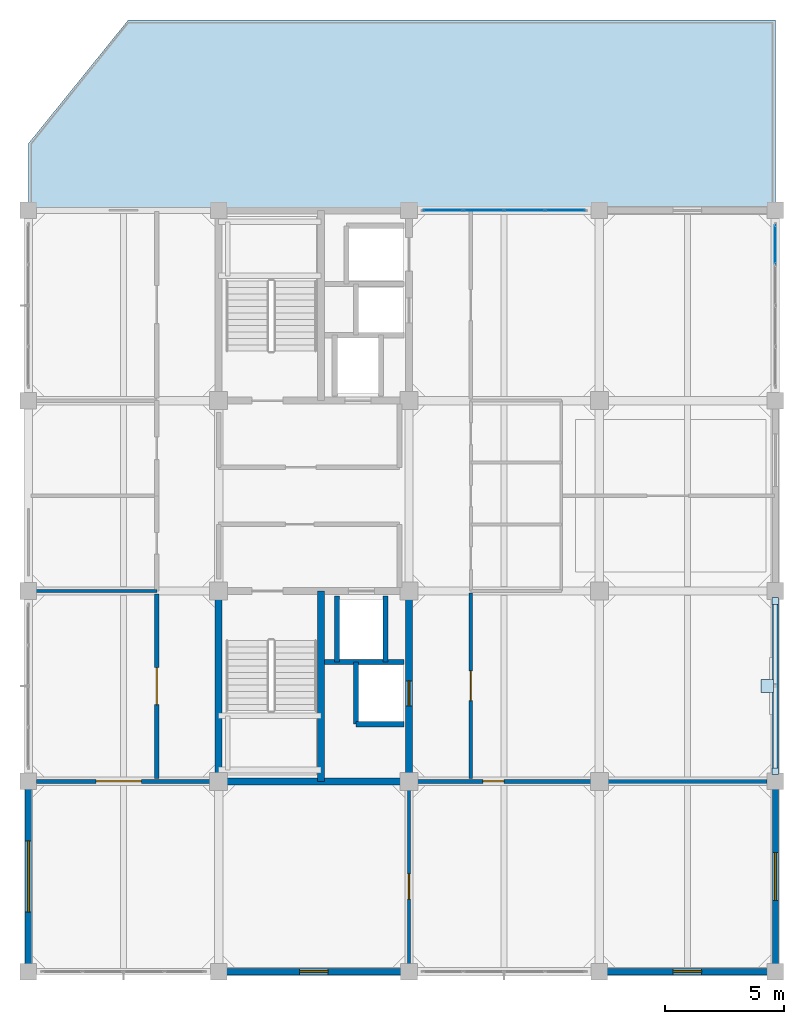
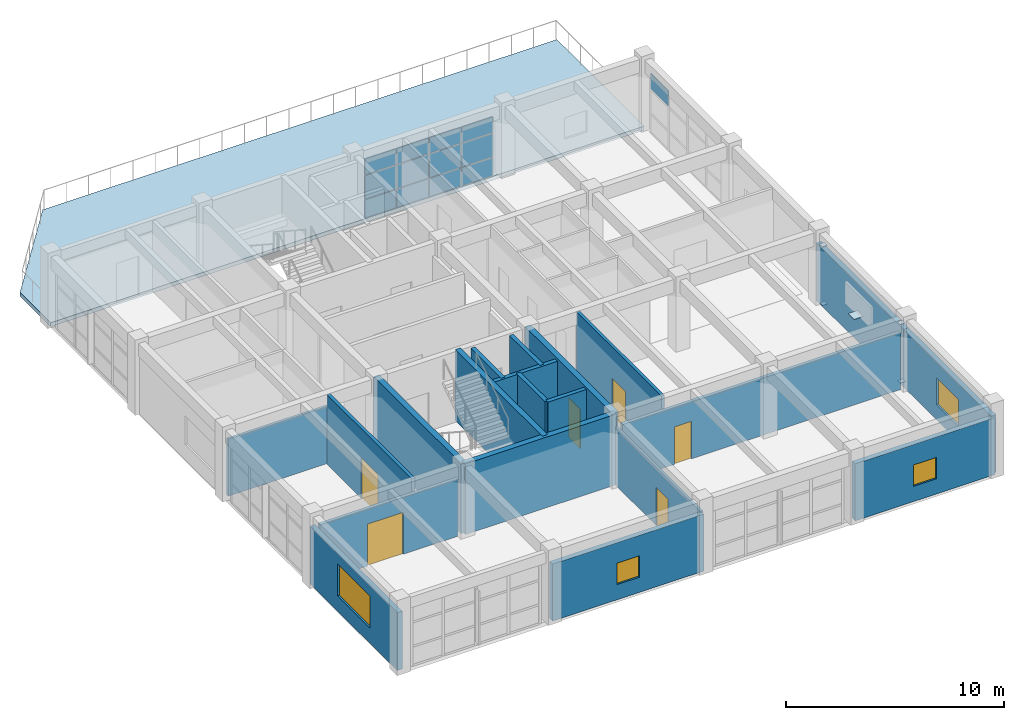
# One storey, part 14 of 19: 20 walls, 18 plates, 6 doors, 4 windows, 1 slab, 10 openings, 2 elements without a shape of their own.
"""IFC4 building model written with IfcOpenShell, lengths in metres."""

from ifc_helpers import new_model, si_unit, direction, frame, frame_2d, origin, origin_2d, place, context, subcontext, project, spatial, polyline, rectangle, outline, extrude, material, layer, layer_set, type_object, element, fill, aggregate, save


model = new_model("IFC4")

# Units and contexts
model_context = context("Model", 3, precision=1e-05, world=origin(), true_north=direction((0.0, 1.0)))
body_context = subcontext(model_context, "Body", "Model", "MODEL_VIEW")
ifc_project = project(units=[si_unit("LENGTHUNIT", "METRE"), si_unit("AREAUNIT", "SQUARE_METRE"), si_unit("VOLUMEUNIT", "CUBIC_METRE"), si_unit("PLANEANGLEUNIT", "RADIAN"), si_unit("MASSUNIT", "GRAM", prefix="KILO")], contexts=[model_context])

# Site, building, storey
site_placement = place(None, origin())
site = spatial("IfcSite", under=ifc_project, at=site_placement, CompositionType="ELEMENT")
building_placement = place(site_placement, origin())
building = spatial("IfcBuilding", under=site, at=building_placement, Name="Canggui Botanical Conservatory", CompositionType="ELEMENT")
storey_placement = place(building_placement, frame((0.0, 0.0, 48.60009765625)))
storey = spatial("IfcBuildingStorey", under=building, at=storey_placement, Name="L12", CompositionType="ELEMENT", Elevation=48.60009765625)

# Curtain wall, plates
ifc_material_1 = material(Name="Thermally Broken Aluminium", Category="aluminium")
ifc_layer_1 = layer(ifc_material_1, 0.14990234375, Name="Thermally Broken Aluminium", Category="aluminium")
ifc_layer_set_1 = layer_set([ifc_layer_1], Name="Thermally Broken Aluminium")
curtain_wall_type = type_object("IfcCurtainWallType", Name="CW-UNIT-C", PredefinedType="USERDEFINED", material=ifc_layer_set_1)
curtain_wall_1_placement = place(storey_placement, origin())
curtain_wall_1 = element("IfcCurtainWall", 1, at=curtain_wall_1_placement, inside=storey, type_object=curtain_wall_type, Name="Facade Curtain Wall CW-TWR-L12-10", ObjectType="UNITISED CURTAIN WALL", PredefinedType="USERDEFINED")
ifc_material_2 = material(Name="Low-E Insulated Glass", Category="glass")
ifc_layer_2 = layer(ifc_material_2, 0.033935546875, Name="Low-E Insulated Glass", Category="glass")
ifc_layer_set_2 = layer_set([ifc_layer_2], Name="Low-E Insulated Glass")
plate_type_1 = type_object("IfcPlateType", Name="CWP-03", PredefinedType="CURTAIN_PANEL", material=ifc_layer_set_2)
plate_1_placement = place(storey_placement, frame((163.43505859375, 66.0, 0.0546875), z_axis=(0.0, 0.0, 1.0), x_axis=(1.0, 0.0, 0.0)))
plate_1 = element("IfcPlate", 2, at=plate_1_placement, type_object=plate_type_1, Name="CW-03 panel 1.1", PredefinedType="CURTAIN_PANEL", context=body_context, shape_type="SweptSolid", body=[
    extrude(rectangle(XDim=1.6298828125, YDim=0.033935546875, at=origin_2d()), origin(), (0.0, 0.0, 1.0), 1.005615234375),
])
plate_2_placement = place(storey_placement, frame((163.43505859375, 66.0, 1.115234375), z_axis=(0.0, 0.0, 1.0), x_axis=(1.0, 0.0, 0.0)))
plate_2 = element("IfcPlate", 3, at=plate_2_placement, type_object=plate_type_1, Name="CW-03 panel 1.2", PredefinedType="CURTAIN_PANEL", context=body_context, shape_type="SweptSolid", body=[
    extrude(rectangle(XDim=1.6298828125, YDim=0.033935546875, at=origin_2d()), origin(), (0.0, 0.0, 1.0), 1.304931640625),
])
plate_3_placement = place(storey_placement, frame((163.43505859375, 66.0, 2.4755859375), z_axis=(0.0, 0.0, 1.0), x_axis=(1.0, 0.0, 0.0)))
plate_3 = element("IfcPlate", 4, at=plate_3_placement, type_object=plate_type_1, Name="CW-03 panel 1.3", PredefinedType="CURTAIN_PANEL", context=body_context, shape_type="SweptSolid", body=[
    extrude(rectangle(XDim=1.6298828125, YDim=0.033935546875, at=origin_2d()), origin(), (0.0, 0.0, 1.0), 0.869384765625),
])
plate_4_placement = place(storey_placement, frame((165.139892578125, 66.0, 0.0546875), z_axis=(0.0, 0.0, 1.0), x_axis=(1.0, 0.0, 0.0)))
plate_4 = element("IfcPlate", 5, at=plate_4_placement, type_object=plate_type_1, Name="CW-03 panel 2.1", PredefinedType="CURTAIN_PANEL", context=body_context, shape_type="SweptSolid", body=[
    extrude(rectangle(XDim=1.659912109375, YDim=0.033935546875, at=origin_2d()), origin(), (0.0, 0.0, 1.0), 1.005615234375),
])
plate_5_placement = place(storey_placement, frame((165.139892578125, 66.0, 1.115234375), z_axis=(0.0, 0.0, 1.0), x_axis=(1.0, 0.0, 0.0)))
plate_5 = element("IfcPlate", 6, at=plate_5_placement, type_object=plate_type_1, Name="CW-03 panel 2.2", PredefinedType="CURTAIN_PANEL", context=body_context, shape_type="SweptSolid", body=[
    extrude(rectangle(XDim=1.659912109375, YDim=0.033935546875, at=origin_2d()), origin(), (0.0, 0.0, 1.0), 1.304931640625),
])
plate_6_placement = place(storey_placement, frame((165.139892578125, 66.0, 2.4755859375), z_axis=(0.0, 0.0, 1.0), x_axis=(1.0, 0.0, 0.0)))
plate_6 = element("IfcPlate", 7, at=plate_6_placement, type_object=plate_type_1, Name="CW-03 panel 2.3", PredefinedType="CURTAIN_PANEL", context=body_context, shape_type="SweptSolid", body=[
    extrude(rectangle(XDim=1.659912109375, YDim=0.033935546875, at=origin_2d()), origin(), (0.0, 0.0, 1.0), 0.869384765625),
])
plate_7_placement = place(storey_placement, frame((166.860107421875, 66.0, 0.0546875), z_axis=(0.0, 0.0, 1.0), x_axis=(1.0, 0.0, 0.0)))
plate_7 = element("IfcPlate", 8, at=plate_7_placement, type_object=plate_type_1, Name="CW-03 panel 3.1", PredefinedType="CURTAIN_PANEL", context=body_context, shape_type="SweptSolid", body=[
    extrude(rectangle(XDim=1.659912109375, YDim=0.033935546875, at=origin_2d()), origin(), (0.0, 0.0, 1.0), 1.005615234375),
])
plate_8_placement = place(storey_placement, frame((166.860107421875, 66.0, 1.115234375), z_axis=(0.0, 0.0, 1.0), x_axis=(1.0, 0.0, 0.0)))
plate_8 = element("IfcPlate", 9, at=plate_8_placement, type_object=plate_type_1, Name="CW-03 panel 3.2", PredefinedType="CURTAIN_PANEL", context=body_context, shape_type="SweptSolid", body=[
    extrude(rectangle(XDim=1.659912109375, YDim=0.033935546875, at=origin_2d()), origin(), (0.0, 0.0, 1.0), 1.304931640625),
])
plate_9_placement = place(storey_placement, frame((166.860107421875, 66.0, 2.4755859375), z_axis=(0.0, 0.0, 1.0), x_axis=(1.0, 0.0, 0.0)))
plate_9 = element("IfcPlate", 10, at=plate_9_placement, type_object=plate_type_1, Name="CW-03 panel 3.3", PredefinedType="CURTAIN_PANEL", context=body_context, shape_type="SweptSolid", body=[
    extrude(rectangle(XDim=1.659912109375, YDim=0.033935546875, at=origin_2d()), origin(), (0.0, 0.0, 1.0), 0.869384765625),
])
plate_10_placement = place(storey_placement, frame((168.56494140625, 66.0, 0.0546875), z_axis=(0.0, 0.0, 1.0), x_axis=(1.0, 0.0, 0.0)))
plate_10 = element("IfcPlate", 11, at=plate_10_placement, type_object=plate_type_1, Name="CW-03 panel 4.1", PredefinedType="CURTAIN_PANEL", context=body_context, shape_type="SweptSolid", body=[
    extrude(rectangle(XDim=1.6298828125, YDim=0.033935546875, at=origin_2d()), origin(), (0.0, 0.0, 1.0), 1.005615234375),
])
plate_11_placement = place(storey_placement, frame((168.56494140625, 66.0, 1.115234375), z_axis=(0.0, 0.0, 1.0), x_axis=(1.0, 0.0, 0.0)))
plate_11 = element("IfcPlate", 12, at=plate_11_placement, type_object=plate_type_1, Name="CW-03 panel 4.2", PredefinedType="CURTAIN_PANEL", context=body_context, shape_type="SweptSolid", body=[
    extrude(rectangle(XDim=1.6298828125, YDim=0.033935546875, at=origin_2d()), origin(), (0.0, 0.0, 1.0), 1.304931640625),
])
plate_12_placement = place(storey_placement, frame((168.56494140625, 66.0, 2.4755859375), z_axis=(0.0, 0.0, 1.0), x_axis=(1.0, 0.0, 0.0)))
plate_12 = element("IfcPlate", 13, at=plate_12_placement, type_object=plate_type_1, Name="CW-03 panel 4.3", PredefinedType="CURTAIN_PANEL", context=body_context, shape_type="SweptSolid", body=[
    extrude(rectangle(XDim=1.6298828125, YDim=0.033935546875, at=origin_2d()), origin(), (0.0, 0.0, 1.0), 0.869384765625),
])
aggregate(curtain_wall_1, [plate_1, plate_2, plate_3, plate_4, plate_5, plate_6, plate_7, plate_8, plate_9, plate_10, plate_11, plate_12])

# Curtain wall, plate
curtain_wall_2_placement = place(storey_placement, origin())
curtain_wall_2 = element("IfcCurtainWall", 14, at=curtain_wall_2_placement, inside=storey, type_object=curtain_wall_type, Name="Facade Curtain Wall CW-TWR-L12-12", ObjectType="UNITISED CURTAIN WALL", PredefinedType="USERDEFINED")
plate_13_placement = place(storey_placement, frame((177.39990234375, 64.56494140625, 2.4755859375), z_axis=(0.0, 0.0, 1.0), x_axis=(0.0, -1.0, 0.0)))
plate_13 = element("IfcPlate", 15, at=plate_13_placement, type_object=plate_type_1, Name="CW-03 panel 1.3", PredefinedType="CURTAIN_PANEL", context=body_context, shape_type="SweptSolid", body=[
    extrude(rectangle(XDim=1.6298828125, YDim=0.033935546875, at=origin_2d()), origin(), (0.0, 0.0, 1.0), 0.869384765625),
])
aggregate(curtain_wall_2, [plate_13])

# Plates
ifc_material_3 = material(Name="Steel Q355B", Category="steel")
ifc_layer_3 = layer(ifc_material_3, 0.02001953125, Name="Steel Q355B", Category="steel")
ifc_layer_set_3 = layer_set([ifc_layer_3], Name="Steel Q355B")
plate_type_2 = type_object("IfcPlateType", Name="PLT-CAP-20", PredefinedType="USERDEFINED", material=ifc_layer_set_3)
for number, where, z_axis, x_axis, name in (
    (16, (177.39990234375, 42.419921875, 0.039794921875), (0.0, 0.0, 1.0), (1.0, 0.0, 0.0), "CP-ZC-L12-1"),
    (17, (177.39990234375, 49.580078125, 0.039794921875), (0.0, 0.0, 1.0), (1.0, 0.0, 0.0), "CP-ZC-L12-2"),
    (18, (177.39990234375, 42.419921875, 3.31982421875), (0.0, 0.0, 1.0), (1.0, 0.0, 0.0), "CP-ZC-L12-3"),
    (19, (177.39990234375, 49.580078125, 3.31982421875), (0.0, 0.0, 1.0), (1.0, 0.0, 0.0), "CP-ZC-L12-4"),
):
    element("IfcPlate", number, at=place(storey_placement, frame(where, z_axis=z_axis, x_axis=x_axis)), inside=storey, type_object=plate_type_2, Name=name, ObjectType="END CAP PLATE", PredefinedType="USERDEFINED", context=body_context, shape_type="SweptSolid", body=[
        extrude(rectangle(XDim=0.280029296875, YDim=0.280029296875, at=origin_2d()), origin(), (0.0, 0.0, 1.0), 0.02001953125),
    ])
ifc_material_4 = material(Name="Steel Q355C", Category="steel")
ifc_layer_4 = layer(ifc_material_4, 0.02392578125, Name="Steel Q355C", Category="steel")
ifc_layer_set_4 = layer_set([ifc_layer_4], Name="Steel Q355C")
plate_type_3 = type_object("IfcPlateType", Name="PLT-GUSSET-24", PredefinedType="USERDEFINED", material=ifc_layer_set_4)
plate_14_placement = place(storey_placement, frame((177.06005859375, 46.0, 1.677978515625), z_axis=(0.0, 0.0, 1.0), x_axis=(1.0, 0.0, 0.0)))
element("IfcPlate", 20, at=plate_14_placement, inside=storey, type_object=plate_type_3, Name="Seismic X-Brace Central Crossing Gusset Plate L12", ObjectType="GUSSET PLATE", PredefinedType="USERDEFINED", context=body_context, shape_type="SweptSolid", body=[
    extrude(rectangle(XDim=0.5400390625, YDim=0.5400390625, at=origin_2d()), origin(), (0.0, 0.0, 1.0), 0.02392578125),
])

# Slab
ifc_material_5 = material(Name="Concrete C35", Category="concrete")
ifc_layer_5 = layer(ifc_material_5, 0.219970703125, Name="Concrete C35", Category="concrete")
ifc_layer_set_5 = layer_set([ifc_layer_5], Name="Concrete C35")
slab_type = type_object("IfcSlabType", Name="SLAB-F220", PredefinedType="FLOOR", material=ifc_layer_set_5)
slab_placement = place(storey_placement, frame((0.0, 0.0, -0.22021484375)))
element("IfcSlab", 21, at=slab_placement, inside=storey, type_object=slab_type, Name="Research Tower L12 Planted Sky Terrace Slab", PredefinedType="FLOOR", context=body_context, shape_type="SweptSolid", body=[
    extrude(outline(polyline([(146.0, 66.0), (177.39990234375, 66.0), (177.39990234375, 74.0), (150.199951171875, 74.0), (146.0, 68.800048828125), (146.0, 66.0)])), origin(), (0.0, 0.0, 1.0), 0.22021484375),
])

# Wall, opening, window
ifc_material_6 = material(Name="Precast Concrete C40", Category="concrete")
ifc_layer_6 = layer(ifc_material_6, 0.260009765625, Name="Precast Concrete C40", Category="concrete")
ifc_layer_set_6 = layer_set([ifc_layer_6], Name="Precast Concrete C40")
wall_type_1 = type_object("IfcWallType", Name="EW-260", PredefinedType="STANDARD", material=ifc_layer_set_6)
wall_1_placement = place(storey_placement, frame((177.39990234375, 34.0, 0.0), z_axis=(0.0, 0.0, 1.0), x_axis=(-1.0, 0.0, 0.0)))
wall_1 = element("IfcWall", 22, at=wall_1_placement, inside=storey, type_object=wall_type_1, Name="Tower Insulated Exterior Wall L12-S1", PredefinedType="STANDARD", context=body_context, shape_type="SweptSolid", body=[
    extrude(rectangle(XDim=7.39990234375, YDim=0.260009765625, at=frame_2d((3.699951171875, 0.0))), origin(), (0.0, 0.0, 1.0), 3.18994140625),
])
opening_1_placement = place(wall_1_placement, frame((3.10009765625, 0.0, 0.85009765625)))
opening_1 = element("IfcOpeningElement", 23, at=opening_1_placement, cuts=wall_1, Name="Opening W-06", PredefinedType="OPENING", context=body_context, shape_type="SweptSolid", body=[
    extrude(rectangle(XDim=1.199951171875, YDim=1.199951171875, at=frame_2d((0.60009765625, 0.60009765625))), frame((0.0, 0.14013671875, 0.0), z_axis=(0.0, -1.0, 0.0), x_axis=(1.0, 0.0, 0.0)), (0.0, 0.0, 1.0), 0.280029296875),
])
window_type_1 = type_object("IfcWindowType", Name="WIN-06", PartitioningType="SINGLE_PANEL", PredefinedType="WINDOW", material=ifc_material_2)
window_1_placement = place(opening_1_placement, origin())
window_1 = element("IfcWindow", 24, at=window_1_placement, inside=storey, type_object=window_type_1, Name="Tower Firefighter Rescue Window L12-1", OverallHeight=1.199951171875, OverallWidth=1.199951171875, PartitioningType="SINGLE_PANEL", PredefinedType="WINDOW", context=body_context, shape_type="SweptSolid", body=[
    extrude(rectangle(XDim=1.199951171875, YDim=1.199951171875, at=frame_2d((0.60009765625, 0.60009765625))), frame((0.0, 0.030029296875, 0.0), z_axis=(0.0, -1.0, 0.0), x_axis=(1.0, 0.0, 0.0)), (0.0, 0.0, 1.0), 0.06005859375),
])
fill(opening_1, window_1)

wall_2_placement = place(storey_placement, frame((162.0, 34.0, 0.0), z_axis=(0.0, 0.0, 1.0), x_axis=(-1.0, 0.0, 0.0)))
wall_2 = element("IfcWall", 25, at=wall_2_placement, inside=storey, type_object=wall_type_1, Name="Tower Insulated Exterior Wall L12-S3", PredefinedType="STANDARD", context=body_context, shape_type="SweptSolid", body=[
    extrude(rectangle(XDim=8.0, YDim=0.260009765625, at=frame_2d((4.0, 0.0))), origin(), (0.0, 0.0, 1.0), 3.18994140625),
])
opening_2_placement = place(wall_2_placement, frame((3.39990234375, 0.0, 0.85009765625)))
opening_2 = element("IfcOpeningElement", 26, at=opening_2_placement, cuts=wall_2, Name="Opening W-06", PredefinedType="OPENING", context=body_context, shape_type="SweptSolid", body=[
    extrude(rectangle(XDim=1.199951171875, YDim=1.199951171875, at=frame_2d((0.60009765625, 0.60009765625))), frame((0.0, 0.14013671875, 0.0), z_axis=(0.0, -1.0, 0.0), x_axis=(1.0, 0.0, 0.0)), (0.0, 0.0, 1.0), 0.280029296875),
])
window_2_placement = place(opening_2_placement, origin())
window_2 = element("IfcWindow", 27, at=window_2_placement, inside=storey, type_object=window_type_1, Name="Tower Firefighter Rescue Window L12-3", OverallHeight=1.199951171875, OverallWidth=1.199951171875, PartitioningType="SINGLE_PANEL", PredefinedType="WINDOW", context=body_context, shape_type="SweptSolid", body=[
    extrude(rectangle(XDim=1.199951171875, YDim=1.199951171875, at=frame_2d((0.60009765625, 0.60009765625))), frame((0.0, 0.030029296875, 0.0), z_axis=(0.0, -1.0, 0.0), x_axis=(1.0, 0.0, 0.0)), (0.0, 0.0, 1.0), 0.06005859375),
])
fill(opening_2, window_2)

wall_3_placement = place(storey_placement, frame((146.0, 34.0, 0.0), z_axis=(0.0, 0.0, 1.0), x_axis=(0.0, 1.0, 0.0)))
wall_3 = element("IfcWall", 28, at=wall_3_placement, inside=storey, type_object=wall_type_1, Name="Tower Insulated Exterior Wall L12-W5", PredefinedType="STANDARD", context=body_context, shape_type="SweptSolid", body=[
    extrude(rectangle(XDim=8.0, YDim=0.260009765625, at=frame_2d((4.0, 0.0))), origin(), (0.0, 0.0, 1.0), 3.239990234375),
])
opening_3_placement = place(wall_3_placement, frame((2.5, 0.0, 0.85009765625)))
opening_3 = element("IfcOpeningElement", 29, at=opening_3_placement, cuts=wall_3, Name="Opening W-07", PredefinedType="OPENING", context=body_context, shape_type="SweptSolid", body=[
    extrude(rectangle(XDim=3.0, YDim=1.800048828125, at=frame_2d((1.5, 0.89990234375))), frame((0.0, 0.14013671875, 0.0), z_axis=(0.0, -1.0, 0.0), x_axis=(1.0, 0.0, 0.0)), (0.0, 0.0, 1.0), 0.280029296875),
])
window_type_2 = type_object("IfcWindowType", Name="WIN-07", PartitioningType="TRIPLE_PANEL_VERTICAL", PredefinedType="WINDOW", material=ifc_material_2)
window_3_placement = place(opening_3_placement, origin())
window_3 = element("IfcWindow", 30, at=window_3_placement, inside=storey, type_object=window_type_2, Name="Tower Window L12-5", OverallHeight=1.800048828125, OverallWidth=3.0, PartitioningType="SINGLE_PANEL", PredefinedType="WINDOW", context=body_context, shape_type="SweptSolid", body=[
    extrude(rectangle(XDim=3.0, YDim=1.800048828125, at=frame_2d((1.5, 0.89990234375))), frame((0.0, 0.030029296875, 0.0), z_axis=(0.0, -1.0, 0.0), x_axis=(1.0, 0.0, 0.0)), (0.0, 0.0, 1.0), 0.06005859375),
])
fill(opening_3, window_3)

# Wall
wall_4_placement = place(storey_placement, frame((177.39990234375, 50.0, 0.0), z_axis=(0.0, 0.0, 1.0), x_axis=(0.0, -1.0, 0.0)))
element("IfcWall", 31, at=wall_4_placement, inside=storey, type_object=wall_type_1, Name="Tower Insulated Exterior Wall L12-E14", PredefinedType="STANDARD", context=body_context, shape_type="SweptSolid", body=[
    extrude(rectangle(XDim=8.0, YDim=0.260009765625, at=frame_2d((4.0, 0.0))), origin(), (0.0, 0.0, 1.0), 3.239990234375),
])

# Wall, opening, window
wall_5_placement = place(storey_placement, frame((177.39990234375, 42.0, 0.0), z_axis=(0.0, 0.0, 1.0), x_axis=(0.0, -1.0, 0.0)))
wall_5 = element("IfcWall", 32, at=wall_5_placement, inside=storey, type_object=wall_type_1, Name="Tower Insulated Exterior Wall L12-E15", PredefinedType="STANDARD", context=body_context, shape_type="SweptSolid", body=[
    extrude(rectangle(XDim=8.0, YDim=0.260009765625, at=frame_2d((4.0, 0.0))), origin(), (0.0, 0.0, 1.0), 3.239990234375),
])
opening_4_placement = place(wall_5_placement, frame((3.0, 0.0, 0.85009765625)))
opening_4 = element("IfcOpeningElement", 33, at=opening_4_placement, cuts=wall_5, Name="Opening W-11", PredefinedType="OPENING", context=body_context, shape_type="SweptSolid", body=[
    extrude(rectangle(XDim=2.0, YDim=1.5, at=frame_2d((1.0, 0.75))), frame((0.0, 0.14013671875, 0.0), z_axis=(0.0, -1.0, 0.0), x_axis=(1.0, 0.0, 0.0)), (0.0, 0.0, 1.0), 0.280029296875),
])
window_type_3 = type_object("IfcWindowType", Name="WIN-11", PartitioningType="DOUBLE_PANEL_VERTICAL", PredefinedType="WINDOW", material=ifc_material_2)
window_4_placement = place(opening_4_placement, origin())
window_4 = element("IfcWindow", 34, at=window_4_placement, inside=storey, type_object=window_type_3, Name="Tower Window L12-15", OverallHeight=1.5, OverallWidth=2.0, PartitioningType="SINGLE_PANEL", PredefinedType="WINDOW", context=body_context, shape_type="SweptSolid", body=[
    extrude(rectangle(XDim=2.0, YDim=1.5, at=frame_2d((1.0, 0.75))), frame((0.0, 0.030029296875, 0.0), z_axis=(0.0, -1.0, 0.0), x_axis=(1.0, 0.0, 0.0)), (0.0, 0.0, 1.0), 0.06005859375),
])
fill(opening_4, window_4)

# Wall, opening, door
ifc_material_7 = material(Name="Gypsum Plasterboard Partition")
ifc_layer_7 = layer(ifc_material_7, 0.175048828125, Name="Gypsum Plasterboard Partition")
ifc_layer_set_7 = layer_set([ifc_layer_7], Name="Gypsum Plasterboard Partition")
wall_type_2 = type_object("IfcWallType", Name="IW-CORR-175", PredefinedType="STANDARD", material=ifc_layer_set_7)
wall_6_placement = place(storey_placement, frame((151.39990234375, 42.1201171875, 0.0), z_axis=(0.0, 0.0, 1.0), x_axis=(0.0, 1.0, 0.0)))
wall_6 = element("IfcWall", 35, at=wall_6_placement, inside=storey, type_object=wall_type_2, Name="L12 Fungal Taxonomy Studio Corridor Wall", PredefinedType="STANDARD", context=body_context, shape_type="SweptSolid", body=[
    extrude(rectangle(XDim=7.759765625, YDim=0.175048828125, at=frame_2d((3.8798828125, 0.0))), origin(), (0.0, 0.0, 1.0), 3.89990234375),
])
opening_5_placement = place(wall_6_placement, frame((3.10498046875, 0.0, 0.0)))
opening_5 = element("IfcOpeningElement", 36, at=opening_5_placement, cuts=wall_6, Name="Opening FD-14", PredefinedType="OPENING", context=body_context, shape_type="SweptSolid", body=[
    extrude(rectangle(XDim=1.550048828125, YDim=2.25, at=frame_2d((0.77490234375, 1.125))), frame((0.0, 0.09765625, 0.0), z_axis=(0.0, -1.0, 0.0), x_axis=(1.0, 0.0, 0.0)), (0.0, 0.0, 1.0), 0.195068359375),
])
ifc_material_8 = material(Name="Powder-Coated Steel", Category="steel")
door_type_1 = type_object("IfcDoorType", Name="FD-14", OperationType="NOTDEFINED", PredefinedType="DOOR", material=ifc_material_8)
door_1_placement = place(opening_5_placement, origin())
door_1 = element("IfcDoor", 37, at=door_1_placement, inside=storey, type_object=door_type_1, Name="L12 Fungal Taxonomy Studio Entrance Door", OperationType="SINGLE_SWING_RIGHT", OverallHeight=2.25, OverallWidth=1.550048828125, PredefinedType="DOOR", context=body_context, shape_type="SweptSolid", body=[
    extrude(rectangle(XDim=1.550048828125, YDim=2.25, at=frame_2d((0.77490234375, 1.125))), frame((0.0, 0.02490234375, 0.0), z_axis=(0.0, -1.0, 0.0), x_axis=(1.0, 0.0, 0.0)), (0.0, 0.0, 1.0), 0.050048828125),
])
fill(opening_5, door_1)

wall_7_placement = place(storey_placement, frame((146.35009765625, 42.0, 0.0), z_axis=(0.0, 0.0, 1.0), x_axis=(1.0, 0.0, 0.0)))
wall_7 = element("IfcWall", 38, at=wall_7_placement, inside=storey, type_object=wall_type_2, Name="L12 Mycology Culture Research Laboratory South Suite Wall", PredefinedType="STANDARD", context=body_context, shape_type="SweptSolid", body=[
    extrude(rectangle(XDim=7.2998046875, YDim=0.175048828125, at=frame_2d((3.64990234375, 0.0))), origin(), (0.0, 0.0, 1.0), 3.18994140625),
])
opening_6_placement = place(wall_7_placement, frame((2.5, 0.0, 0.0)))
opening_6 = element("IfcOpeningElement", 39, at=opening_6_placement, cuts=wall_7, Name="Opening FD-18", PredefinedType="OPENING", context=body_context, shape_type="SweptSolid", body=[
    extrude(rectangle(XDim=1.89990234375, YDim=2.35009765625, at=frame_2d((0.949951171875, 1.175048828125))), frame((0.0, 0.09765625, 0.0), z_axis=(0.0, -1.0, 0.0), x_axis=(1.0, 0.0, 0.0)), (0.0, 0.0, 1.0), 0.195068359375),
])
door_type_2 = type_object("IfcDoorType", Name="FD-18", OperationType="NOTDEFINED", PredefinedType="DOOR", material=ifc_material_8)
door_2_placement = place(opening_6_placement, origin())
door_2 = element("IfcDoor", 40, at=door_2_placement, inside=storey, type_object=door_type_2, Name="Interior Door IW-L12-SCOR-1", OperationType="DOUBLE_DOOR_SINGLE_SWING", OverallHeight=2.35009765625, OverallWidth=1.89990234375, PredefinedType="DOOR", context=body_context, shape_type="SweptSolid", body=[
    extrude(rectangle(XDim=1.89990234375, YDim=2.35009765625, at=frame_2d((0.949951171875, 1.175048828125))), frame((0.0, 0.02490234375, 0.0), z_axis=(0.0, -1.0, 0.0), x_axis=(1.0, 0.0, 0.0)), (0.0, 0.0, 1.0), 0.050048828125),
])
fill(opening_6, door_2)

wall_8_placement = place(storey_placement, frame((162.35009765625, 42.0, 0.0), z_axis=(0.0, 0.0, 1.0), x_axis=(1.0, 0.0, 0.0)))
wall_8 = element("IfcWall", 41, at=wall_8_placement, inside=storey, type_object=wall_type_2, Name="L12 Autoclave Media Prep Room South Suite Wall", PredefinedType="STANDARD", context=body_context, shape_type="SweptSolid", body=[
    extrude(rectangle(XDim=14.699951171875, YDim=0.175048828125, at=frame_2d((7.35009765625, 0.0))), origin(), (0.0, 0.0, 1.0), 3.18994140625),
])
opening_7_placement = place(wall_8_placement, frame((2.75, 0.0, 0.0)))
opening_7 = element("IfcOpeningElement", 42, at=opening_7_placement, cuts=wall_8, Name="Opening FD-01", PredefinedType="OPENING", context=body_context, shape_type="SweptSolid", body=[
    extrude(rectangle(XDim=0.89990234375, YDim=2.10009765625, at=frame_2d((0.449951171875, 1.050048828125))), frame((0.0, 0.09765625, 0.0), z_axis=(0.0, -1.0, 0.0), x_axis=(1.0, 0.0, 0.0)), (0.0, 0.0, 1.0), 0.195068359375),
])
door_type_3 = type_object("IfcDoorType", Name="FD-01", OperationType="NOTDEFINED", PredefinedType="DOOR", material=ifc_material_8)
door_3_placement = place(opening_7_placement, origin())
door_3 = element("IfcDoor", 43, at=door_3_placement, inside=storey, type_object=door_type_3, Name="Interior Door IW-L12-SCOR-2", OperationType="SINGLE_SWING_RIGHT", OverallHeight=2.10009765625, OverallWidth=0.89990234375, PredefinedType="DOOR", context=body_context, shape_type="SweptSolid", body=[
    extrude(rectangle(XDim=0.89990234375, YDim=2.10009765625, at=frame_2d((0.449951171875, 1.050048828125))), frame((0.0, 0.02490234375, 0.0), z_axis=(0.0, -1.0, 0.0), x_axis=(1.0, 0.0, 0.0)), (0.0, 0.0, 1.0), 0.050048828125),
])
fill(opening_7, door_3)

ifc_layer_8 = layer(ifc_material_7, 0.155029296875, Name="Gypsum Plasterboard Partition")
ifc_layer_set_8 = layer_set([ifc_layer_8], Name="Gypsum Plasterboard Partition")
wall_type_3 = type_object("IfcWallType", Name="IW-LAB-155", PredefinedType="STANDARD", material=ifc_layer_set_8)
wall_9_placement = place(storey_placement, frame((164.60009765625, 42.1201171875, 0.0), z_axis=(0.0, 0.0, 1.0), x_axis=(0.0, 1.0, 0.0)))
wall_9 = element("IfcWall", 44, at=wall_9_placement, inside=storey, type_object=wall_type_3, Name="L12 Plant Tissue Culture Cleanroom Lab Wall", PredefinedType="STANDARD", context=body_context, shape_type="SweptSolid", body=[
    extrude(rectangle(XDim=7.7998046875, YDim=0.155029296875, at=frame_2d((3.89990234375, 0.0))), origin(), (0.0, 0.0, 1.0), 3.89990234375),
])
opening_8_placement = place(wall_9_placement, frame((3.27490234375, 0.0, 0.0)))
opening_8 = element("IfcOpeningElement", 45, at=opening_8_placement, cuts=wall_9, Name="Opening FD-08", PredefinedType="OPENING", context=body_context, shape_type="SweptSolid", body=[
    extrude(rectangle(XDim=1.25, YDim=2.14990234375, at=frame_2d((0.625, 1.074951171875))), frame((0.0, 0.08740234375, 0.0), z_axis=(0.0, -1.0, 0.0), x_axis=(1.0, 0.0, 0.0)), (0.0, 0.0, 1.0), 0.175048828125),
])
door_type_4 = type_object("IfcDoorType", Name="FD-08", OperationType="NOTDEFINED", PredefinedType="DOOR", material=ifc_material_8)
door_4_placement = place(opening_8_placement, origin())
door_4 = element("IfcDoor", 46, at=door_4_placement, inside=storey, type_object=door_type_4, Name="Interior Door IW-L12-ECOR-1-1", OperationType="SINGLE_SWING_LEFT", OverallHeight=2.14990234375, OverallWidth=1.25, PredefinedType="DOOR", context=body_context, shape_type="SweptSolid", body=[
    extrude(rectangle(XDim=1.25, YDim=2.14990234375, at=frame_2d((0.625, 1.074951171875))), frame((0.0, 0.02490234375, 0.0), z_axis=(0.0, -1.0, 0.0), x_axis=(1.0, 0.0, 0.0)), (0.0, 0.0, 1.0), 0.050048828125),
])
fill(opening_8, door_4)

# Wall
ifc_layer_9 = layer(ifc_material_7, 0.139892578125, Name="Gypsum Plasterboard Partition")
ifc_layer_set_9 = layer_set([ifc_layer_9], Name="Gypsum Plasterboard Partition")
wall_type_4 = type_object("IfcWallType", Name="IW-PART-140", PredefinedType="STANDARD", material=ifc_layer_set_9)
wall_10_placement = place(storey_placement, frame((146.1201171875, 50.0, 0.0), z_axis=(0.0, 0.0, 1.0), x_axis=(1.0, 0.0, 0.0)))
element("IfcWall", 47, at=wall_10_placement, inside=storey, type_object=wall_type_4, Name="L12 Store South Cross Wall", PredefinedType="STANDARD", context=body_context, shape_type="SweptSolid", body=[
    extrude(rectangle(XDim=5.27978515625, YDim=0.139892578125, at=frame_2d((2.639892578125, 0.0))), origin(), (0.0, 0.0, 1.0), 3.18994140625),
])

# Wall, opening, door
wall_11_placement = place(storey_placement, frame((162.0, 34.050048828125, 0.0), z_axis=(0.0, 0.0, 1.0), x_axis=(0.0, 1.0, 0.0)))
wall_11 = element("IfcWall", 48, at=wall_11_placement, inside=storey, type_object=wall_type_4, Name="L12 Mycology Culture Research Laboratory South Cross Wall", PredefinedType="STANDARD", context=body_context, shape_type="SweptSolid", body=[
    extrude(rectangle(XDim=7.829833984375, YDim=0.139892578125, at=frame_2d((3.9150390625, 0.0))), origin(), (0.0, 0.0, 1.0), 3.239990234375),
])
opening_9_placement = place(wall_11_placement, frame((3.0, 0.0, 0.0)))
opening_9 = element("IfcOpeningElement", 49, at=opening_9_placement, cuts=wall_11, Name="Opening ID-05", PredefinedType="OPENING", context=body_context, shape_type="SweptSolid", body=[
    extrude(rectangle(XDim=1.06005859375, YDim=2.1201171875, at=frame_2d((0.530029296875, 1.06005859375))), frame((0.0, 0.080078125, 0.0), z_axis=(0.0, -1.0, 0.0), x_axis=(1.0, 0.0, 0.0)), (0.0, 0.0, 1.0), 0.159912109375),
])
ifc_material_9 = material(Name="Engineered Timber Veneer", Category="wood")
door_type_5 = type_object("IfcDoorType", Name="ID-05", OperationType="NOTDEFINED", PredefinedType="DOOR", material=ifc_material_9)
door_5_placement = place(opening_9_placement, origin())
door_5 = element("IfcDoor", 50, at=door_5_placement, inside=storey, type_object=door_type_5, Name="Interior Door IW-L12-SDIV-1", OperationType="SINGLE_SWING_LEFT", OverallHeight=2.1201171875, OverallWidth=1.06005859375, PredefinedType="DOOR", context=body_context, shape_type="SweptSolid", body=[
    extrude(rectangle(XDim=1.06005859375, YDim=2.1201171875, at=frame_2d((0.530029296875, 1.06005859375))), frame((0.0, 0.02490234375, 0.0), z_axis=(0.0, -1.0, 0.0), x_axis=(1.0, 0.0, 0.0)), (0.0, 0.0, 1.0), 0.050048828125),
])
fill(opening_9, door_5)

# Walls
ifc_layer_10 = layer(ifc_material_5, 0.215087890625, Name="Concrete C35", Category="concrete")
ifc_layer_set_10 = layer_set([ifc_layer_10], Name="Concrete C35")
wall_type_5 = type_object("IfcWallType", Name="IW-SHAFT-215", PredefinedType="STANDARD", material=ifc_layer_set_10)
wall_12_placement = place(storey_placement, frame((158.449951171875, 47.02001953125, 0.0), z_axis=(0.0, 0.0, 1.0), x_axis=(1.0, 0.0, 0.0)))
element("IfcWall", 51, at=wall_12_placement, inside=storey, type_object=wall_type_5, Name="Core T1 Lift Shaft Divider L12", PredefinedType="STANDARD", context=body_context, shape_type="SweptSolid", body=[
    extrude(rectangle(XDim=3.35009765625, YDim=0.215087890625, at=frame_2d((1.675048828125, 0.0))), origin(), (0.0, 0.0, 1.0), 3.89990234375),
])
for number, where, z_axis, x_axis, name in (
    (52, (158.97998046875, 47.02001953125, 0.0), (0.0, 0.0, 1.0), (0.0, 1.0, 0.0), "Core T1 FL-01 West Shaft Wall L12"),
    (53, (161.02001953125, 47.02001953125, 0.0), (0.0, 0.0, 1.0), (0.0, 1.0, 0.0), "Core T1 FL-01 East Shaft Wall L12"),
):
    element("IfcWall", number, at=place(storey_placement, frame(where, z_axis=z_axis, x_axis=x_axis)), inside=storey, type_object=wall_type_5, Name=name, PredefinedType="STANDARD", context=body_context, shape_type="SweptSolid", body=[
        extrude(rectangle(XDim=2.780029296875, YDim=0.215087890625, at=frame_2d((1.39013671875, 0.0))), origin(), (0.0, 0.0, 1.0), 3.89990234375),
    ])
wall_13_placement = place(storey_placement, frame((159.780029296875, 44.39990234375, 0.0), z_axis=(0.0, 0.0, 1.0), x_axis=(0.0, 1.0, 0.0)))
element("IfcWall", 54, at=wall_13_placement, inside=storey, type_object=wall_type_5, Name="Core T1 PL-01 West Shaft Wall L12", PredefinedType="STANDARD", context=body_context, shape_type="SweptSolid", body=[
    extrude(rectangle(XDim=2.6201171875, YDim=0.215087890625, at=frame_2d((1.31005859375, 0.0))), origin(), (0.0, 0.0, 1.0), 3.89990234375),
])
wall_14_placement = place(storey_placement, frame((159.780029296875, 44.39990234375, 0.0), z_axis=(0.0, 0.0, 1.0), x_axis=(1.0, 0.0, 0.0)))
element("IfcWall", 55, at=wall_14_placement, inside=storey, type_object=wall_type_5, Name="Core T1 PL-01 South Shaft Wall L12", PredefinedType="STANDARD", context=body_context, shape_type="SweptSolid", body=[
    extrude(rectangle(XDim=2.02001953125, YDim=0.215087890625, at=frame_2d((1.010009765625, 0.0))), origin(), (0.0, 0.0, 1.0), 3.89990234375),
])
ifc_layer_11 = layer(ifc_material_5, 0.280029296875, Name="Concrete C35", Category="concrete")
ifc_layer_set_11 = layer_set([ifc_layer_11], Name="Concrete C35")
wall_type_6 = type_object("IfcWallType", Name="WALL-SH-280-C35", PredefinedType="SHEAR", material=ifc_layer_set_11)
wall_15_placement = place(storey_placement, frame((158.300048828125, 42.0, 0.0), z_axis=(0.0, 0.0, 1.0), x_axis=(0.0, 1.0, 0.0)))
element("IfcWall", 56, at=wall_15_placement, inside=storey, type_object=wall_type_6, Name="Core T1 Internal Shear Web L12", PredefinedType="SHEAR", context=body_context, shape_type="SweptSolid", body=[
    extrude(rectangle(XDim=8.0, YDim=0.280029296875, at=frame_2d((4.0, 0.0))), origin(), (0.0, 0.0, 1.0), 3.949951171875),
])
ifc_layer_12 = layer(ifc_material_5, 0.300048828125, Name="Concrete C35", Category="concrete")
ifc_layer_set_12 = layer_set([ifc_layer_12], Name="Concrete C35")
wall_type_7 = type_object("IfcWallType", Name="WALL-SH-300-C35", PredefinedType="SHEAR", material=ifc_layer_set_12)
wall_16_placement = place(storey_placement, frame((154.0, 42.0, 0.0), z_axis=(0.0, 0.0, 1.0), x_axis=(1.0, 0.0, 0.0)))
element("IfcWall", 57, at=wall_16_placement, inside=storey, type_object=wall_type_7, Name="Core T1 Shear Wall L12-S", PredefinedType="SHEAR", context=body_context, shape_type="SweptSolid", body=[
    extrude(rectangle(XDim=8.0, YDim=0.300048828125, at=frame_2d((4.0, 0.0))), origin(), (0.0, 0.0, 1.0), 3.949951171875),
])

# Wall, opening, door
wall_17_placement = place(storey_placement, frame((162.0, 42.0, 0.0), z_axis=(0.0, 0.0, 1.0), x_axis=(0.0, 1.0, 0.0)))
wall_17 = element("IfcWall", 58, at=wall_17_placement, inside=storey, type_object=wall_type_7, Name="Core T1 Shear Wall L12-E", PredefinedType="SHEAR", context=body_context, shape_type="SweptSolid", body=[
    extrude(rectangle(XDim=8.0, YDim=0.300048828125, at=frame_2d((4.0, 0.0))), origin(), (0.0, 0.0, 1.0), 3.949951171875),
])
opening_10_placement = place(wall_17_placement, frame((3.175048828125, 0.0, 0.0)))
opening_10 = element("IfcOpeningElement", 59, at=opening_10_placement, cuts=wall_17, Name="Opening LD-02", PredefinedType="OPENING", context=body_context, shape_type="SweptSolid", body=[
    extrude(rectangle(XDim=1.050048828125, YDim=2.199951171875, at=frame_2d((0.52490234375, 1.10009765625))), frame((0.0, 0.16015625, 0.0), z_axis=(0.0, -1.0, 0.0), x_axis=(1.0, 0.0, 0.0)), (0.0, 0.0, 1.0), 0.320068359375),
])
ifc_material_10 = material(Name="Stainless Steel 304", Category="steel")
door_type_6 = type_object("IfcDoorType", Name="LDR-02", OperationType="NOTDEFINED", PredefinedType="DOOR", material=ifc_material_10)
door_6_placement = place(opening_10_placement, origin())
door_6 = element("IfcDoor", 60, at=door_6_placement, inside=storey, type_object=door_type_6, Name="Passenger Lift PL-01 Landing Door L12", OperationType="SLIDING_TO_LEFT", OverallHeight=2.199951171875, OverallWidth=1.050048828125, PredefinedType="DOOR", context=body_context, shape_type="SweptSolid", body=[
    extrude(rectangle(XDim=1.050048828125, YDim=2.199951171875, at=frame_2d((0.52490234375, 1.10009765625))), frame((0.0, 0.02490234375, 0.0), z_axis=(0.0, -1.0, 0.0), x_axis=(1.0, 0.0, 0.0)), (0.0, 0.0, 1.0), 0.050048828125),
])
fill(opening_10, door_6)

# Wall
wall_18_placement = place(storey_placement, frame((154.0, 50.0, 0.0), z_axis=(0.0, 0.0, 1.0), x_axis=(0.0, -1.0, 0.0)))
element("IfcWall", 61, at=wall_18_placement, inside=storey, type_object=wall_type_7, Name="Core T1 Shear Wall L12-W", PredefinedType="SHEAR", context=body_context, shape_type="SweptSolid", body=[
    extrude(rectangle(XDim=8.0, YDim=0.300048828125, at=frame_2d((4.0, 0.0))), origin(), (0.0, 0.0, 1.0), 3.949951171875),
])

save(model, "model.ifc")
